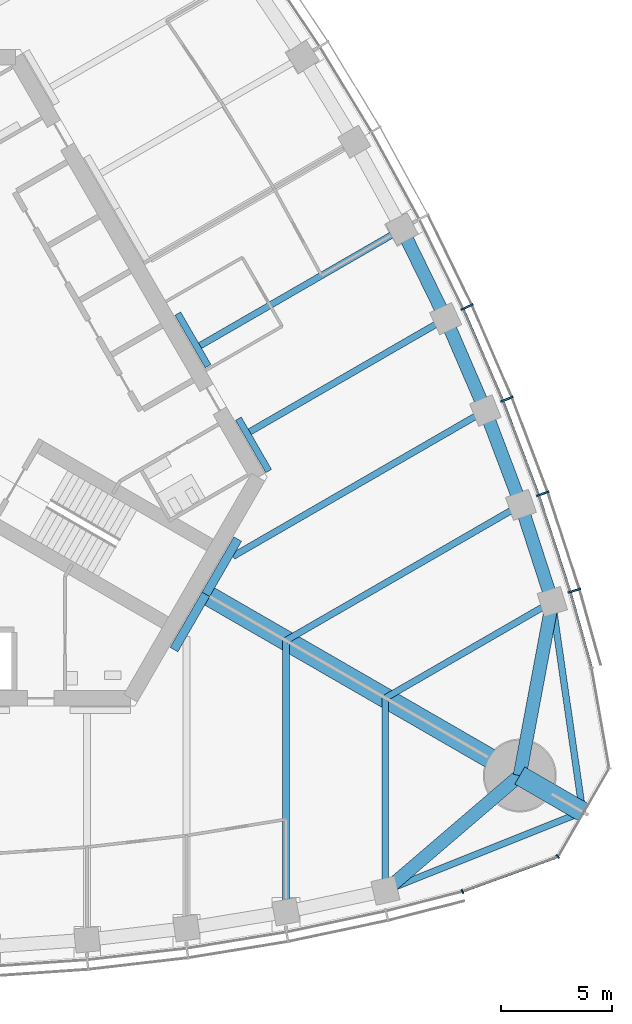
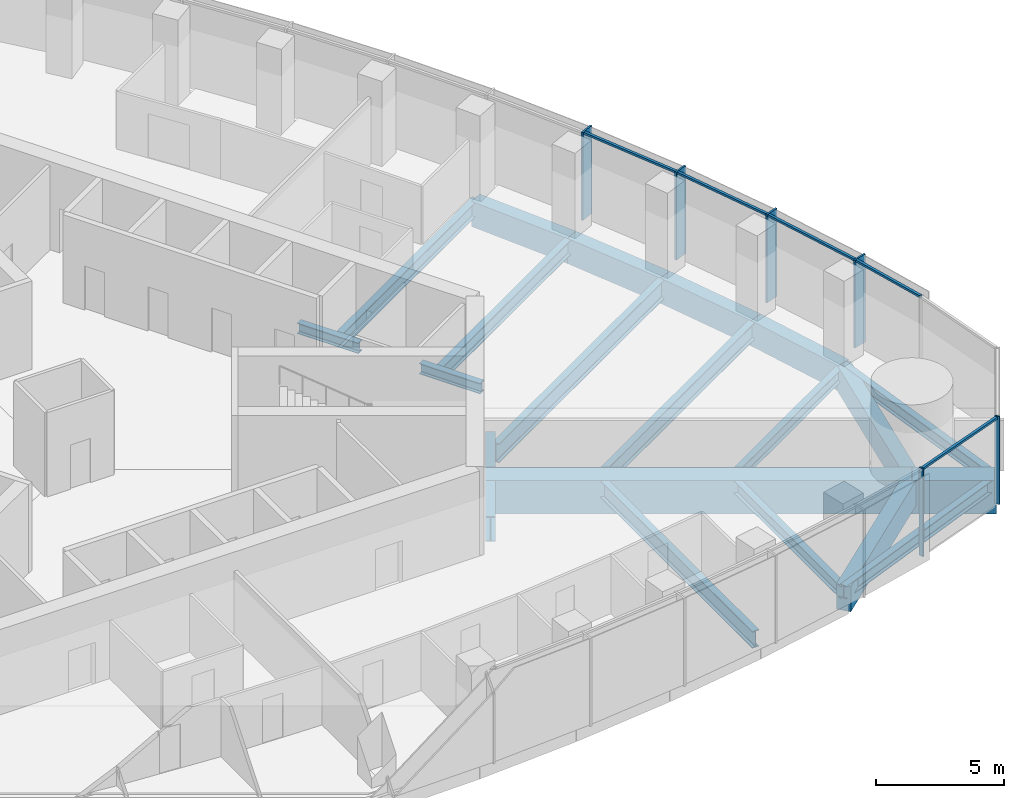
# One storey, part 4 of 19: 21 beams, 11 members, 2 elements without a shape of their own.
"""IFC4 building model written with IfcOpenShell, lengths in metres."""

from ifc_helpers import new_model, si_unit, direction, frame, origin, origin_2d, place, context, subcontext, project, spatial, rectangle, i_section, extrude, material, material_profile, profile_set, type_object, element, aggregate, save


model = new_model("IFC4")

# Units and contexts
model_context = context("Model", 3, precision=1e-05, world=origin(), true_north=direction((0.0, 1.0)))
body_context = subcontext(model_context, "Body", "Model", "MODEL_VIEW")
ifc_project = project(units=[si_unit("LENGTHUNIT", "METRE"), si_unit("AREAUNIT", "SQUARE_METRE"), si_unit("VOLUMEUNIT", "CUBIC_METRE"), si_unit("PLANEANGLEUNIT", "RADIAN"), si_unit("MASSUNIT", "GRAM", prefix="KILO")], contexts=[model_context])

# Site, building, storey
site_placement = place(None, origin())
site = spatial("IfcSite", under=ifc_project, at=site_placement, CompositionType="ELEMENT")
building_placement = place(site_placement, origin())
building = spatial("IfcBuilding", under=site, at=building_placement, Name="Trefoil Bronze Tower", CompositionType="ELEMENT")
storey_placement = place(building_placement, frame((0.0, 0.0, 223.300048828125)))
storey = spatial("IfcBuildingStorey", under=building, at=storey_placement, Name="L51", CompositionType="ELEMENT", Elevation=223.300048828125)

# Curtain wall, members
ifc_material_1 = material(Name="Tinted solar-control glass", Category="glass")
curtain_wall_type_1 = type_object("IfcCurtainWallType", Name="Bronze office curtain wall", PredefinedType="USERDEFINED", material=ifc_material_1)
curtain_wall_1_placement = place(storey_placement, origin())
curtain_wall_1 = element("IfcCurtainWall", 1, at=curtain_wall_1_placement, inside=storey, type_object=curtain_wall_type_1, Name="CW-A L51 F2", ObjectType="CURTAIN WALL", PredefinedType="USERDEFINED")
ifc_material_2 = material(Name="Bronze-finish aluminium", Category="aluminium")
ifc_material_profile_1 = material_profile(ifc_material_2, rectangle(XDim=0.60009765625, YDim=0.080078125, at=origin_2d()), Name="CW-A mullion")
ifc_profile_set_1 = profile_set([ifc_material_profile_1], Name="Bronze-finish aluminium")
member_type_1 = type_object("IfcMemberType", Name="Bronze office curtain wall mullion", PredefinedType="MULLION", material=ifc_profile_set_1)
member_1_placement = place(storey_placement, frame((31.05029296875, -8.132568359375, 0.0), z_axis=(0.0, 0.0, 1.0), x_axis=(-0.95694224323, -0.290278389002, 0.0)))
member_1 = element("IfcMember", 2, at=member_1_placement, type_object=member_type_1, Name="CW-A L51 F2 mullion 2", PredefinedType="MULLION", context=body_context, shape_type="SweptSolid", body=[
    extrude(rectangle(XDim=0.60009765625, YDim=0.080078125, at=origin_2d()), origin(), (0.0, 0.0, 1.0), 4.179931640625),
])
member_2_placement = place(storey_placement, frame((29.619873046875, -3.747314453125, 0.0), z_axis=(0.0, 0.0, 1.0), x_axis=(-0.943180077746, -0.332282020191, 0.0)))
member_2 = element("IfcMember", 3, at=member_2_placement, type_object=member_type_1, Name="CW-A L51 F2 mullion 3", PredefinedType="MULLION", context=body_context, shape_type="SweptSolid", body=[
    extrude(rectangle(XDim=0.60009765625, YDim=0.080078125, at=origin_2d()), origin(), (0.0, 0.0, 1.0), 4.179931640625),
])
member_3_placement = place(storey_placement, frame((27.999755859375, 0.529541015625, 0.0), z_axis=(0.0, 0.0, 1.0), x_axis=(-0.926689348282, -0.375828221106, 0.0)))
member_3 = element("IfcMember", 4, at=member_3_placement, type_object=member_type_1, Name="CW-A L51 F2 mullion 4", PredefinedType="MULLION", context=body_context, shape_type="SweptSolid", body=[
    extrude(rectangle(XDim=0.60009765625, YDim=0.080078125, at=origin_2d()), origin(), (0.0, 0.0, 1.0), 4.179931640625),
])
member_4_placement = place(storey_placement, frame((26.19482421875, 4.699462890625, 0.0), z_axis=(0.0, 0.0, 1.0), x_axis=(-0.908315380354, -0.418285990457, 0.0)))
member_4 = element("IfcMember", 5, at=member_4_placement, type_object=member_type_1, Name="CW-A L51 F2 mullion 5", PredefinedType="MULLION", context=body_context, shape_type="SweptSolid", body=[
    extrude(rectangle(XDim=0.60009765625, YDim=0.080078125, at=origin_2d()), origin(), (0.0, 0.0, 1.0), 4.179931640625),
])
ifc_material_3 = material(Name="Bronze-finish aluminium", Category="aluminium")
ifc_material_profile_2 = material_profile(ifc_material_3, rectangle(XDim=0.1201171875, YDim=0.10009765625, at=origin_2d()), Name="CW-A transom")
ifc_profile_set_2 = profile_set([ifc_material_profile_2], Name="Bronze-finish aluminium")
member_type_2 = type_object("IfcMemberType", Name="Bronze office curtain wall transom", PredefinedType="USERDEFINED", material=ifc_profile_set_2)
member_5_placement = place(storey_placement, frame((31.81201171875, -11.585205078125, 4.1298828125), z_axis=(-0.270284880437, 0.962780392097, 0.0), x_axis=(-0.962780392097, -0.270284880437, 0.0)))
member_5 = element("IfcMember", 6, at=member_5_placement, type_object=member_type_2, Name="CW-A L51 F2 transom 1", ObjectType="TRANSOM", PredefinedType="USERDEFINED", context=body_context, shape_type="SweptSolid", body=[
    extrude(rectangle(XDim=0.1201171875, YDim=0.10009765625, at=origin_2d()), origin(), (0.0, 0.0, 1.0), 3.48388671875),
])
member_6_placement = place(storey_placement, frame((30.845947265625, -8.150634765625, 4.1298828125), z_axis=(-0.310127806788, 0.950694874004, 0.0), x_axis=(-0.950694874004, -0.310127806788, 0.0)))
member_6 = element("IfcMember", 7, at=member_6_placement, type_object=member_type_2, Name="CW-A L51 F2 transom 2", ObjectType="TRANSOM", PredefinedType="USERDEFINED", context=body_context, shape_type="SweptSolid", body=[
    extrude(rectangle(XDim=0.1201171875, YDim=0.10009765625, at=origin_2d()), origin(), (0.0, 0.0, 1.0), 4.51953125),
])
member_7_placement = place(storey_placement, frame((29.416259765625, -3.774169921875, 4.1298828125), z_axis=(-0.354263170896, 0.935145767112, 0.0), x_axis=(-0.935145767112, -0.354263170896, 0.0)))
member_7 = element("IfcMember", 8, at=member_7_placement, type_object=member_type_2, Name="CW-A L51 F2 transom 3", ObjectType="TRANSOM", PredefinedType="USERDEFINED", context=body_context, shape_type="SweptSolid", body=[
    extrude(rectangle(XDim=0.1201171875, YDim=0.10009765625, at=origin_2d()), origin(), (0.0, 0.0, 1.0), 4.4794921875),
])
member_8_placement = place(storey_placement, frame((27.797607421875, 0.4931640625, 4.1298828125), z_axis=(-0.397220936772, 0.917723012346, 0.0), x_axis=(-0.917723012346, -0.397220936772, 0.0)))
member_8 = element("IfcMember", 9, at=member_8_placement, type_object=member_type_2, Name="CW-A L51 F2 transom 4", ObjectType="TRANSOM", PredefinedType="USERDEFINED", context=body_context, shape_type="SweptSolid", body=[
    extrude(rectangle(XDim=0.1201171875, YDim=0.10009765625, at=origin_2d()), origin(), (0.0, 0.0, 1.0), 4.449951171875),
])
aggregate(curtain_wall_1, [member_1, member_2, member_3, member_4, member_5, member_6, member_7, member_8])

ifc_material_4 = material(Name="Tinted solar-control glass", Category="glass")
curtain_wall_type_2 = type_object("IfcCurtainWallType", Name="Bronze rounded corner curtain wall", PredefinedType="USERDEFINED", material=ifc_material_4)
curtain_wall_2_placement = place(storey_placement, origin())
curtain_wall_2 = element("IfcCurtainWall", 10, at=curtain_wall_2_placement, inside=storey, type_object=curtain_wall_type_2, Name="CW-B L51 K1", ObjectType="CURTAIN WALL", PredefinedType="USERDEFINED")
ifc_material_5 = material(Name="Bronze-finish aluminium", Category="aluminium")
ifc_material_profile_3 = material_profile(ifc_material_5, rectangle(XDim=0.199951171875, YDim=0.06005859375, at=origin_2d()), Name="CW-B mullion")
ifc_profile_set_3 = profile_set([ifc_material_profile_3], Name="Bronze-finish aluminium")
member_type_3 = type_object("IfcMemberType", Name="Bronze rounded corner curtain wall mullion", PredefinedType="MULLION", material=ifc_profile_set_3)
member_9_placement = place(storey_placement, frame((25.9873046875, -21.74462890625, 0.0), z_axis=(0.0, 0.0, 1.0), x_axis=(-0.342020143326, 0.939692620786, 0.0)))
member_9 = element("IfcMember", 11, at=member_9_placement, type_object=member_type_3, Name="CW-B L51 K1 mullion 1", PredefinedType="MULLION", context=body_context, shape_type="SweptSolid", body=[
    extrude(rectangle(XDim=0.199951171875, YDim=0.06005859375, at=origin_2d()), origin(), (0.0, 0.0, 1.0), 4.179931640625),
])
member_10_placement = place(storey_placement, frame((30.302490234375, -20.16748046875, 0.0), z_axis=(0.0, 0.0, 1.0), x_axis=(-0.642787609687, 0.766044443119, 0.0)))
member_10 = element("IfcMember", 12, at=member_10_placement, type_object=member_type_3, Name="CW-B L51 K1 mullion 2", PredefinedType="MULLION", context=body_context, shape_type="SweptSolid", body=[
    extrude(rectangle(XDim=0.199951171875, YDim=0.06005859375, at=origin_2d()), origin(), (0.0, 0.0, 1.0), 4.179931640625),
])
ifc_material_6 = material(Name="Bronze-finish aluminium", Category="aluminium")
ifc_material_profile_4 = material_profile(ifc_material_6, rectangle(XDim=0.1201171875, YDim=0.10009765625, at=origin_2d()), Name="CW-B transom")
ifc_profile_set_4 = profile_set([ifc_material_profile_4], Name="Bronze-finish aluminium")
member_type_4 = type_object("IfcMemberType", Name="Bronze rounded corner curtain wall transom", PredefinedType="USERDEFINED", material=ifc_profile_set_4)
member_11_placement = place(storey_placement, frame((26.015380859375, -21.734375, 4.1298828125), z_axis=(0.939680910753, 0.342052314664, 0.0), x_axis=(-0.342052314664, 0.939680910753, 0.0)))
member_11 = element("IfcMember", 13, at=member_11_placement, type_object=member_type_4, Name="CW-B L51 K1 transom 1", ObjectType="TRANSOM", PredefinedType="USERDEFINED", context=body_context, shape_type="SweptSolid", body=[
    extrude(rectangle(XDim=0.1201171875, YDim=0.10009765625, at=origin_2d()), origin(), (0.0, 0.0, 1.0), 4.500244140625),
])
aggregate(curtain_wall_2, [member_9, member_10, member_11])

# Beams
ifc_material_7 = material(Name="Steel C355", Category="steel")
ifc_material_profile_5 = material_profile(ifc_material_7, i_section(OverallWidth=0.300048828125, OverallDepth=0.5, WebThickness=0.014404296875, FlangeThickness=0.028076171875, FilletRadius=0.027099609375, at=origin_2d()), Name="HEB 500")
ifc_profile_set_5 = profile_set([ifc_material_profile_5], Name="Steel C355")
beam_type_1 = type_object("IfcBeamType", Name="Core seat beam HEB 500", PredefinedType="BEAM", material=ifc_profile_set_5)
for number, where, z_axis, x_axis, name in (
    (14, (17.219482421875, -2.72509765625, -0.449951171875), (-0.500035825175, 0.866004719122, 0.0), (-0.866004719122, -0.500035825175, 0.0), "Core seat beam F2/-2 L51"),
    (15, (14.47705078125, 2.02490234375, -0.449951171875), (-0.499969057507, 0.866043267704, 0.0), (-0.866043267704, -0.499969057507, 0.0), "Core seat beam F2/-1 L51"),
):
    element("IfcBeam", number, at=place(storey_placement, frame(where, z_axis=z_axis, x_axis=x_axis)), inside=storey, type_object=beam_type_1, Name=name, PredefinedType="BEAM", context=body_context, shape_type="SweptSolid", body=[
        extrude(i_section(OverallWidth=0.300048828125, OverallDepth=0.5, WebThickness=0.014404296875, FlangeThickness=0.028076171875, FilletRadius=0.027099609375, at=origin_2d()), origin(), (0.0, 0.0, 1.0), 2.742431640625),
    ])
ifc_material_8 = material(Name="Steel C355", Category="steel")
ifc_material_profile_6 = material_profile(ifc_material_8, i_section(OverallWidth=0.39990234375, OverallDepth=1.199951171875, WebThickness=0.02001953125, FlangeThickness=0.0400390625, FilletRadius=0.010009765625, at=origin_2d()), Name="WPG 1200")
ifc_profile_set_6 = profile_set([ifc_material_profile_6], Name="Steel C355")
beam_type_2 = type_object("IfcBeamType", Name="Core seat beam WPG 1200", PredefinedType="BEAM", material=ifc_profile_set_6)
for number, where, z_axis, x_axis, name in (
    (16, (12.9326171875, -10.800048828125, -0.800048828125), (0.499995765644, 0.866027848477, 0.0), (-0.866027848477, 0.499995765644, 0.0), "Core seat beam F1/+3 L51"),
    (17, (14.3759765625, -8.300048828125, -0.800048828125), (0.499995765644, 0.866027848477, 0.0), (-0.866027848477, 0.499995765644, 0.0), "Core seat beam F2/-3 L51"),
):
    element("IfcBeam", number, at=place(storey_placement, frame(where, z_axis=z_axis, x_axis=x_axis)), inside=storey, type_object=beam_type_2, Name=name, PredefinedType="BEAM", context=body_context, shape_type="SweptSolid", body=[
        extrude(i_section(OverallWidth=0.39990234375, OverallDepth=1.199951171875, WebThickness=0.02001953125, FlangeThickness=0.0400390625, FilletRadius=0.010009765625, at=origin_2d()), origin(), (0.0, 0.0, 1.0), 2.88671875),
    ])
ifc_material_9 = material(Name="Concrete B80", Category="concrete")
ifc_material_profile_7 = material_profile(ifc_material_9, rectangle(XDim=0.89990234375, YDim=1.60009765625, at=origin_2d()), Name="RC 900x1600")
ifc_profile_set_7 = profile_set([ifc_material_profile_7], Name="Concrete B80")
beam_type_3 = type_object("IfcBeamType", Name="Corner cantilever RC 900x1600", PredefinedType="BEAM", material=ifc_profile_set_7)
beam_1_placement = place(storey_placement, frame((28.578857421875, -16.5, -1.0), z_axis=(0.866016004958, -0.500016278891, 0.0), x_axis=(0.500016278891, 0.866016004958, 0.0)))
element("IfcBeam", 18, at=beam_1_placement, inside=storey, type_object=beam_type_3, Name="Corner cantilever K1 L51", PredefinedType="BEAM", context=body_context, shape_type="SweptSolid", body=[
    extrude(rectangle(XDim=0.89990234375, YDim=1.60009765625, at=origin_2d()), origin(), (0.0, 0.0, 1.0), 3.28466796875),
])
ifc_material_10 = material(Name="Steel C355", Category="steel")
ifc_material_profile_8 = material_profile(ifc_material_10, i_section(OverallWidth=0.300048828125, OverallDepth=0.60009765625, WebThickness=0.015380859375, FlangeThickness=0.030029296875, FilletRadius=0.027099609375, at=origin_2d()), Name="HEB 600")
ifc_profile_set_8 = profile_set([ifc_material_profile_8], Name="Steel C355")
beam_type_4 = type_object("IfcBeamType", Name="Corner edge beam HEB 600", PredefinedType="BEAM", material=ifc_profile_set_8)
for number, where, z_axis, x_axis, name in (
    (19, (22.5, -21.71044921875, -0.5), (0.92852048463, 0.371281173266, 0.0), (-0.371281173266, 0.92852048463, 0.0), "Corner edge beam F1A L51"),
    (20, (30.052001953125, -8.63037109375, -0.5), (0.142694489722, -0.989766781925, 0.0), (0.989766781925, 0.142694489722, 0.0), "Corner edge beam F2B L51"),
):
    element("IfcBeam", number, at=place(storey_placement, frame(where, z_axis=z_axis, x_axis=x_axis)), inside=storey, type_object=beam_type_4, Name=name, PredefinedType="BEAM", context=body_context, shape_type="SweptSolid", body=[
        extrude(i_section(OverallWidth=0.300048828125, OverallDepth=0.60009765625, WebThickness=0.015380859375, FlangeThickness=0.030029296875, FilletRadius=0.027099609375, at=origin_2d()), origin(), (0.0, 0.0, 1.0), 9.6103515625),
    ])
ifc_material_11 = material(Name="Concrete B80", Category="concrete")
ifc_material_profile_9 = material_profile(ifc_material_11, rectangle(XDim=0.89990234375, YDim=1.60009765625, at=origin_2d()), Name="RC 900x1600")
ifc_profile_set_9 = profile_set([ifc_material_profile_9], Name="Concrete B80")
beam_type_5 = type_object("IfcBeamType", Name="Corner girder RC 900x1600", PredefinedType="BEAM", material=ifc_profile_set_9)
beam_2_placement = place(storey_placement, frame((14.202880859375, -8.199951171875, -1.0), z_axis=(0.866023450265, -0.500003383579, 0.0), x_axis=(0.500003383579, 0.866023450265, 0.0)))
element("IfcBeam", 21, at=beam_2_placement, inside=storey, type_object=beam_type_5, Name="Corner girder K1 L51", PredefinedType="BEAM", context=body_context, shape_type="SweptSolid", body=[
    extrude(rectangle(XDim=0.89990234375, YDim=1.60009765625, at=origin_2d()), origin(), (0.0, 0.0, 1.0), 16.60009765625),
])
ifc_material_12 = material(Name="Concrete B80", Category="concrete")
ifc_material_profile_10 = material_profile(ifc_material_12, rectangle(XDim=0.60009765625, YDim=1.199951171875, at=origin_2d()), Name="RC 600x1200")
ifc_profile_set_10 = profile_set([ifc_material_profile_10], Name="Concrete B80")
beam_type_6 = type_object("IfcBeamType", Name="End spandrel beam RC 600x1200", PredefinedType="SPANDREL", material=ifc_profile_set_10)
for number, where, z_axis, x_axis, name in (
    (22, (22.5, -21.71044921875, -0.800048828125), (0.759256602365, 0.650791373456, 0.0), (-0.650791373456, 0.759256602365, 0.0), "Spandrel F1.12 L51"),
    (23, (28.578857421875, -16.5, -0.800048828125), (0.18399763073, 0.982926686933, 0.0), (-0.982926686933, 0.18399763073, 0.0), "Spandrel F2.1 L51"),
):
    element("IfcBeam", number, at=place(storey_placement, frame(where, z_axis=z_axis, x_axis=x_axis)), inside=storey, type_object=beam_type_6, Name=name, PredefinedType="SPANDREL", context=body_context, shape_type="SweptSolid", body=[
        extrude(rectangle(XDim=0.60009765625, YDim=1.199951171875, at=origin_2d()), origin(), (0.0, 0.0, 1.0), 8.00634765625),
    ])
ifc_material_13 = material(Name="Steel C355", Category="steel")
ifc_material_profile_11 = material_profile(ifc_material_13, i_section(OverallWidth=0.300048828125, OverallDepth=0.590087890625, WebThickness=0.012939453125, FlangeThickness=0.02490234375, FilletRadius=0.027099609375, at=origin_2d()), Name="HEA 600")
ifc_profile_set_11 = profile_set([ifc_material_profile_11], Name="Steel C355")
beam_type_7 = type_object("IfcBeamType", Name="Floor beam HEA 600", PredefinedType="BEAM", material=ifc_profile_set_11)
beam_3_placement = place(storey_placement, frame((22.5, -21.71044921875, -0.4951171875), z_axis=(0.0, 1.0, 0.0), x_axis=(-1.0, 0.0, 0.0)))
element("IfcBeam", 24, at=beam_3_placement, inside=storey, type_object=beam_type_7, Name="Floor beam F1/+5 L51", PredefinedType="BEAM", context=body_context, shape_type="SweptSolid", body=[
    extrude(i_section(OverallWidth=0.300048828125, OverallDepth=0.590087890625, WebThickness=0.012939453125, FlangeThickness=0.02490234375, FilletRadius=0.027099609375, at=origin_2d()), origin(), (0.0, 0.0, 1.0), 8.719970703125),
])
beam_4_placement = place(storey_placement, frame((30.052001953125, -8.63037109375, -0.4951171875), z_axis=(-0.866027535932, -0.499996306993, 0.0), x_axis=(0.499996306993, -0.866027535932, 0.0)))
element("IfcBeam", 25, at=beam_4_placement, inside=storey, type_object=beam_type_7, Name="Floor beam F2/-5 L51", PredefinedType="BEAM", context=body_context, shape_type="SweptSolid", body=[
    extrude(i_section(OverallWidth=0.300048828125, OverallDepth=0.590087890625, WebThickness=0.012939453125, FlangeThickness=0.02490234375, FilletRadius=0.027099609375, at=origin_2d()), origin(), (0.0, 0.0, 1.0), 8.72021484375),
])
ifc_material_14 = material(Name="Steel C355", Category="steel")
ifc_material_profile_12 = material_profile(ifc_material_14, i_section(OverallWidth=0.300048828125, OverallDepth=0.699951171875, WebThickness=0.01708984375, FlangeThickness=0.031982421875, FilletRadius=0.027099609375, at=origin_2d()), Name="HEB 700")
ifc_profile_set_12 = profile_set([ifc_material_profile_12], Name="Steel C355")
beam_type_8 = type_object("IfcBeamType", Name="Floor beam HEB 700", PredefinedType="BEAM", material=ifc_profile_set_12)
beam_5_placement = place(storey_placement, frame((25.2265625, 4.17236328125, -0.550048828125), z_axis=(-0.866017525653, -0.500013645076, 0.0), x_axis=(0.500013645076, -0.866017525653, 0.0)))
element("IfcBeam", 26, at=beam_5_placement, inside=storey, type_object=beam_type_8, Name="Floor beam F2/-2 L51", PredefinedType="BEAM", context=body_context, shape_type="SweptSolid", body=[
    extrude(i_section(OverallWidth=0.300048828125, OverallDepth=0.699951171875, WebThickness=0.01708984375, FlangeThickness=0.031982421875, FilletRadius=0.027099609375, at=origin_2d()), origin(), (0.0, 0.0, 1.0), 10.233154296875),
])
beam_6_placement = place(storey_placement, frame((23.248046875, 8.22607421875, -0.550048828125), z_axis=(-0.866027918957, -0.499995643569, 0.0), x_axis=(0.499995643569, -0.866027918957, 0.0)))
element("IfcBeam", 27, at=beam_6_placement, inside=storey, type_object=beam_type_8, Name="Floor beam F2/-1 L51", PredefinedType="BEAM", context=body_context, shape_type="SweptSolid", body=[
    extrude(i_section(OverallWidth=0.300048828125, OverallDepth=0.699951171875, WebThickness=0.01708984375, FlangeThickness=0.031982421875, FilletRadius=0.027099609375, at=origin_2d()), origin(), (0.0, 0.0, 1.0), 10.54638671875),
])
ifc_material_15 = material(Name="Steel C355", Category="steel")
ifc_material_profile_13 = material_profile(ifc_material_15, i_section(OverallWidth=0.300048828125, OverallDepth=0.800048828125, WebThickness=0.017578125, FlangeThickness=0.032958984375, FilletRadius=0.030029296875, at=origin_2d()), Name="HEB 800")
ifc_profile_set_13 = profile_set([ifc_material_profile_13], Name="Steel C355")
beam_type_9 = type_object("IfcBeamType", Name="Floor beam HEB 800", PredefinedType="BEAM", material=ifc_profile_set_13)
beam_7_placement = place(storey_placement, frame((18.0, -22.6689453125, -0.60009765625), z_axis=(0.0, 1.0, 0.0), x_axis=(-1.0, 0.0, 0.0)))
element("IfcBeam", 28, at=beam_7_placement, inside=storey, type_object=beam_type_9, Name="Floor beam F1/+4 L51", PredefinedType="BEAM", context=body_context, shape_type="SweptSolid", body=[
    extrude(i_section(OverallWidth=0.300048828125, OverallDepth=0.800048828125, WebThickness=0.017578125, FlangeThickness=0.032958984375, FilletRadius=0.030029296875, at=origin_2d()), origin(), (0.0, 0.0, 1.0), 12.276611328125),
])
beam_8_placement = place(storey_placement, frame((28.632080078125, -4.25390625, -0.60009765625), z_axis=(-0.866025635187, -0.499999599199, 0.0), x_axis=(0.499999599199, -0.866025635187, 0.0)))
element("IfcBeam", 29, at=beam_8_placement, inside=storey, type_object=beam_type_9, Name="Floor beam F2/-4 L51", PredefinedType="BEAM", context=body_context, shape_type="SweptSolid", body=[
    extrude(i_section(OverallWidth=0.300048828125, OverallDepth=0.800048828125, WebThickness=0.017578125, FlangeThickness=0.032958984375, FilletRadius=0.030029296875, at=origin_2d()), origin(), (0.0, 0.0, 1.0), 12.27685546875),
])
ifc_material_16 = material(Name="Steel C355", Category="steel")
ifc_material_profile_14 = material_profile(ifc_material_16, i_section(OverallWidth=0.300048828125, OverallDepth=0.89990234375, WebThickness=0.0185546875, FlangeThickness=0.034912109375, FilletRadius=0.030029296875, at=origin_2d()), Name="HEB 900")
ifc_profile_set_14 = profile_set([ifc_material_profile_14], Name="Steel C355")
beam_type_10 = type_object("IfcBeamType", Name="Floor beam HEB 900", PredefinedType="BEAM", material=ifc_profile_set_14)
beam_9_placement = place(storey_placement, frame((27.022216796875, 0.012939453125, -0.650146484375), z_axis=(-0.866020385251, -0.500008692254, 0.0), x_axis=(0.500008692254, -0.866020385251, 0.0)))
element("IfcBeam", 30, at=beam_9_placement, inside=storey, type_object=beam_type_10, Name="Floor beam F2/-3 L51", PredefinedType="BEAM", context=body_context, shape_type="SweptSolid", body=[
    extrude(i_section(OverallWidth=0.300048828125, OverallDepth=0.89990234375, WebThickness=0.0185546875, FlangeThickness=0.034912109375, FilletRadius=0.030029296875, at=origin_2d()), origin(), (0.0, 0.0, 1.0), 13.191162109375),
])
ifc_material_17 = material(Name="Concrete B80", Category="concrete")
ifc_material_profile_15 = material_profile(ifc_material_17, rectangle(XDim=0.60009765625, YDim=1.199951171875, at=origin_2d()), Name="RC 600x1200")
ifc_profile_set_15 = profile_set([ifc_material_profile_15], Name="Concrete B80")
beam_type_11 = type_object("IfcBeamType", Name="Spandrel beam RC 600x1200", PredefinedType="SPANDREL", material=ifc_profile_set_15)
beam_10_placement = place(storey_placement, frame((30.052001953125, -8.63037109375, -0.800048828125), z_axis=(-0.308608505504, 0.951189145402, 0.0), x_axis=(-0.951189145402, -0.308608505504, 0.0)))
element("IfcBeam", 31, at=beam_10_placement, inside=storey, type_object=beam_type_11, Name="Spandrel F2.2 L51", PredefinedType="SPANDREL", context=body_context, shape_type="SweptSolid", body=[
    extrude(rectangle(XDim=0.60009765625, YDim=1.199951171875, at=origin_2d()), origin(), (0.0, 0.0, 1.0), 4.60107421875),
])
beam_11_placement = place(storey_placement, frame((28.632080078125, -4.25390625, -0.800048828125), z_axis=(-0.353005969632, 0.935621069346, 0.0), x_axis=(-0.935621069346, -0.353005969632, 0.0)))
element("IfcBeam", 32, at=beam_11_placement, inside=storey, type_object=beam_type_11, Name="Spandrel F2.3 L51", PredefinedType="SPANDREL", context=body_context, shape_type="SweptSolid", body=[
    extrude(rectangle(XDim=0.60009765625, YDim=1.199951171875, at=origin_2d()), origin(), (0.0, 0.0, 1.0), 4.560546875),
])
beam_12_placement = place(storey_placement, frame((27.022216796875, 0.012939453125, -0.800048828125), z_axis=(-0.396350337164, 0.918099346602, 0.0), x_axis=(-0.918099346602, -0.396350337164, 0.0)))
element("IfcBeam", 33, at=beam_12_placement, inside=storey, type_object=beam_type_11, Name="Spandrel F2.4 L51", PredefinedType="SPANDREL", context=body_context, shape_type="SweptSolid", body=[
    extrude(rectangle(XDim=0.60009765625, YDim=1.199951171875, at=origin_2d()), origin(), (0.0, 0.0, 1.0), 4.530517578125),
])
beam_13_placement = place(storey_placement, frame((25.2265625, 4.17236328125, -0.800048828125), z_axis=(-0.438619830351, 0.898672712629, 0.0), x_axis=(-0.898672712629, -0.438619830351, 0.0)))
element("IfcBeam", 34, at=beam_13_placement, inside=storey, type_object=beam_type_11, Name="Spandrel F2.5 L51", PredefinedType="SPANDREL", context=body_context, shape_type="SweptSolid", body=[
    extrude(rectangle(XDim=0.60009765625, YDim=1.199951171875, at=origin_2d()), origin(), (0.0, 0.0, 1.0), 4.5107421875),
])

save(model, "model.ifc")
